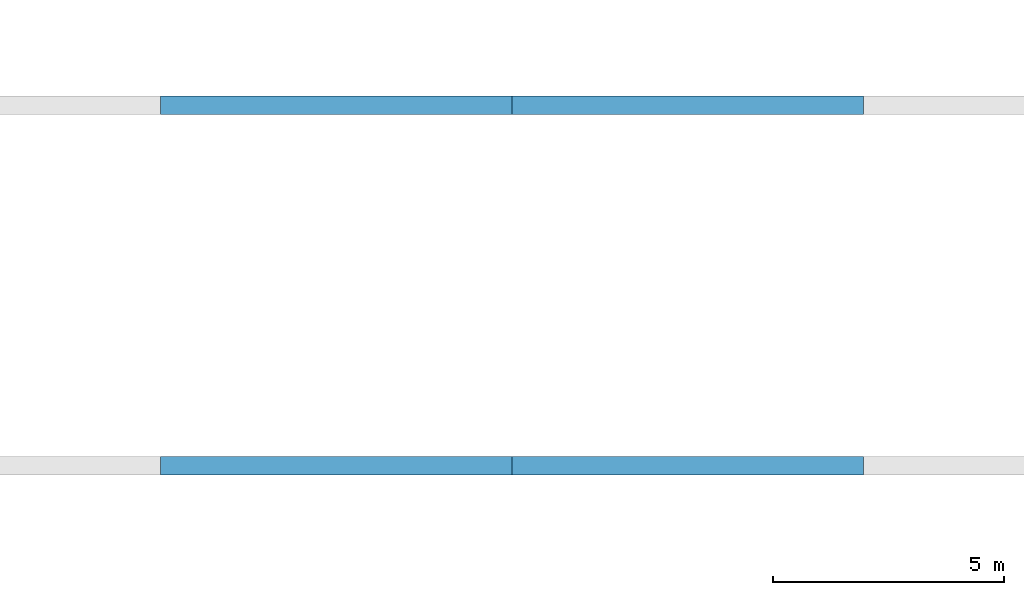
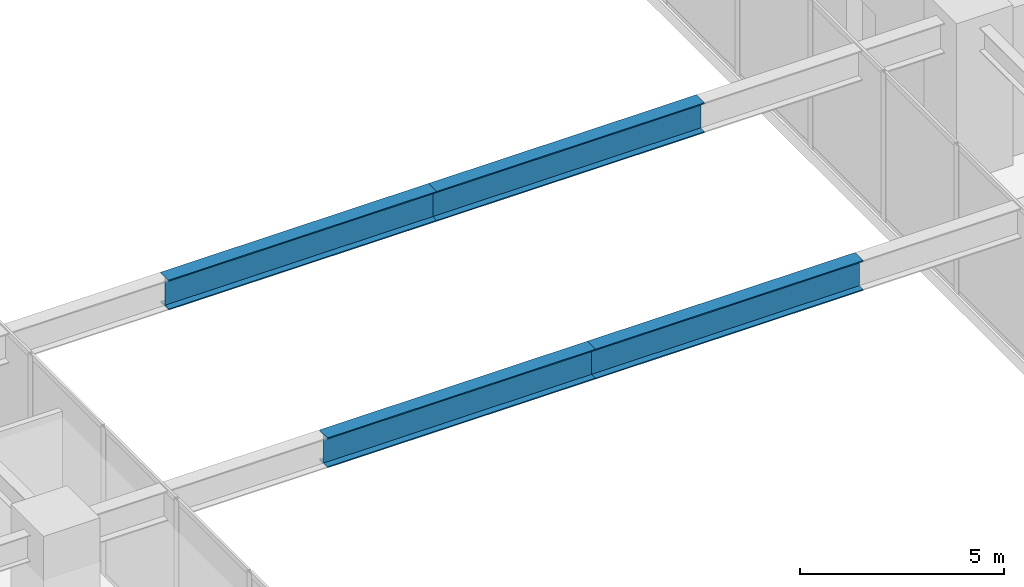
# One storey, part 9 of 39: 4 beams.
"""IFC4 building model written with IfcOpenShell, lengths in metres."""

from ifc_helpers import new_model, si_unit, direction, frame, origin, origin_2d, place, context, subcontext, project, spatial, i_section, extrude, source, transform, mapped, material, material_profile, profile_set, type_object, type_shapes, element, save


model = new_model("IFC4")

# Units and contexts
model_context = context("Model", 3, precision=1e-05, world=origin(), true_north=direction((0.0, 1.0)))
body_context = subcontext(model_context, "Body", "Model", "MODEL_VIEW")
ifc_project = project(units=[si_unit("LENGTHUNIT", "METRE"), si_unit("AREAUNIT", "SQUARE_METRE"), si_unit("VOLUMEUNIT", "CUBIC_METRE"), si_unit("PLANEANGLEUNIT", "RADIAN"), si_unit("MASSUNIT", "GRAM", prefix="KILO")], contexts=[model_context])

# Site, building, storey
site_placement = place(None, origin())
site = spatial("IfcSite", under=ifc_project, at=site_placement, CompositionType="ELEMENT")
building_placement = place(site_placement, origin())
building = spatial("IfcBuilding", under=site, at=building_placement, Name="Haelvirn Gate Laboratories", CompositionType="ELEMENT")
storey_placement = place(building_placement, frame((0.0, 0.0, 15.0)))
storey = spatial("IfcBuildingStorey", under=building, at=storey_placement, Name="L04", CompositionType="ELEMENT", Elevation=15.0)

# Beams
ifc_material = material(Name="Steel SM420", Category="steel")
ifc_material_profile = material_profile(ifc_material, i_section(OverallWidth=0.39990234375, OverallDepth=0.89990234375, WebThickness=0.01904296875, FlangeThickness=0.031982421875, at=origin_2d()), Name="H-900x400x19x32")
ifc_profile_set = profile_set([ifc_material_profile], Name="Steel SM420")
beam_type = type_object("IfcBeamType", Name="BM-TG-900", PredefinedType="BEAM", material=ifc_profile_set)
shared_shape_1 = source(origin(), body_context, "Body", "SweptSolid", [
    extrude(i_section(OverallWidth=0.39990234375, OverallDepth=0.89990234375, WebThickness=0.01904296875, FlangeThickness=0.031982421875, at=origin_2d()), origin(), (0.0, 0.0, 1.0), 7.60009765625),
])
for number, where, z_axis, x_axis, name in (
    (1, (37.39990234375, 7.0, 4.0), (1.0, 0.0, 0.0), (0.0, 1.0, 0.0), "L05 Portal Transfer Truss Bottom Chord Y7.0-3"),
    (2, (37.39990234375, 14.800048828125, 4.0), (1.0, 0.0, 0.0), (0.0, 1.0, 0.0), "L05 Portal Transfer Truss Bottom Chord Y14.8-3"),
):
    element("IfcBeam", number, at=place(storey_placement, frame(where, z_axis=z_axis, x_axis=x_axis)), inside=storey, type_object=beam_type, Name=name, PredefinedType="BEAM", context=body_context, shape_type="MappedRepresentation", body=[
        mapped(shared_shape_1, transform((0.0, 0.0, 0.0), scale=1.0)),
    ])
shared_shape_2 = source(origin(), body_context, "Body", "SweptSolid", [
    extrude(i_section(OverallWidth=0.39990234375, OverallDepth=0.89990234375, WebThickness=0.01904296875, FlangeThickness=0.031982421875, at=origin_2d()), origin(), (0.0, 0.0, 1.0), 7.599853515625),
])
type_shapes(beam_type, [shared_shape_1, shared_shape_2])
for number, where, z_axis, x_axis, name in (
    (3, (29.800048828125, 7.0, 4.0), (1.0, 0.0, 0.0), (0.0, 1.0, 0.0), "L05 Portal Transfer Truss Bottom Chord Y7.0-2"),
    (4, (29.800048828125, 14.800048828125, 4.0), (1.0, 0.0, 0.0), (0.0, 1.0, 0.0), "L05 Portal Transfer Truss Bottom Chord Y14.8-2"),
):
    element("IfcBeam", number, at=place(storey_placement, frame(where, z_axis=z_axis, x_axis=x_axis)), inside=storey, type_object=beam_type, Name=name, PredefinedType="BEAM", context=body_context, shape_type="MappedRepresentation", body=[
        mapped(shared_shape_2, transform((0.0, 0.0, 0.0), scale=1.0)),
    ])

save(model, "model.ifc")
